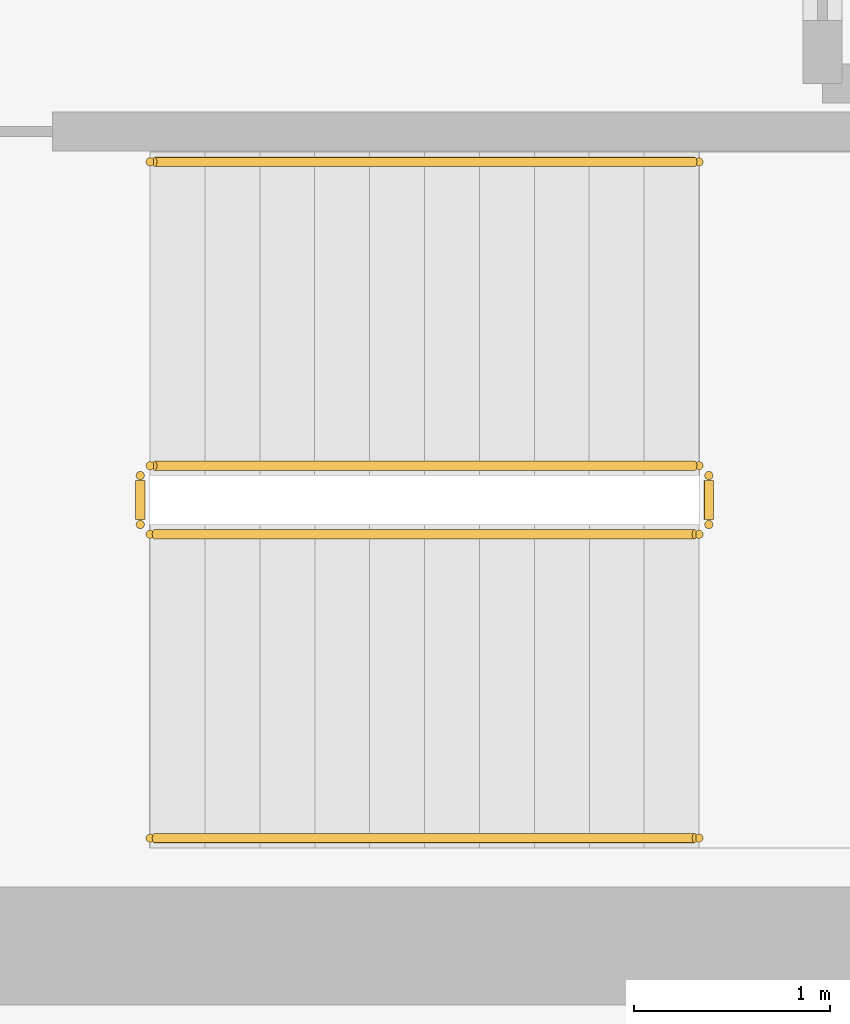
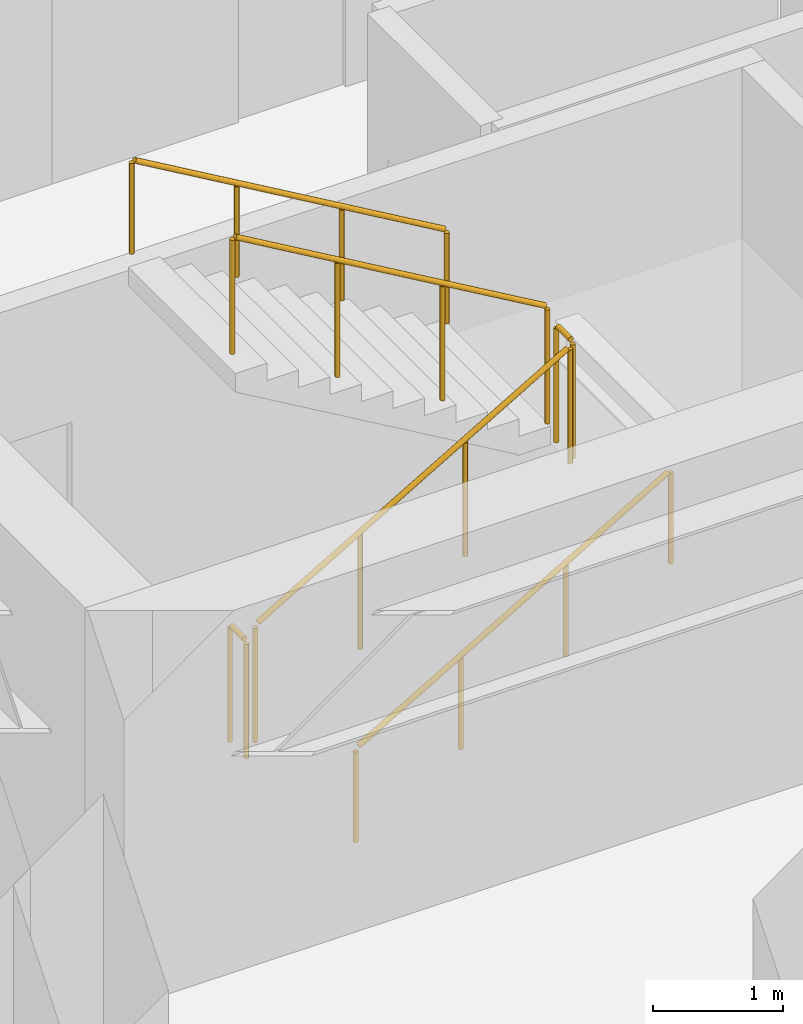
# One storey, part 11 of 11: 6 railings.
"""IFC4 building model written with IfcOpenShell, lengths in metres."""

import ifcopenshell
import ifcopenshell.guid

model = None  # the IFC model being written
_history = None  # IfcOwnerHistory: only IFC2X3 demands one
_inside = {}  # id of a spatial element -> (the spatial element, [elements in it])
_under = {}  # id of a project, library or spatial element -> (it, [spatial elements below it])
_declared = {}  # id of a project -> (the project, [libraries it declares])
_typed = {}  # id of a type object -> (the type object, [elements of that type])
_made_of = {}  # id of a material, layer set ... -> (it, [elements and type objects made of it])


def new_model(schema):
    """Start an empty IFC model of exactly this schema.

    Asked for "IFC4X3", IfcOpenShell would pick the latest addendum, in which some entities
    have other attributes; the version numbers below select the first issue.
    IFC2X3 requires an IfcOwnerHistory on every rooted entity: one is made here for all.
    """
    global model, _history
    if schema == "IFC4X3":
        model = ifcopenshell.file(schema_version=(4, 3, 0, 0))
    else:
        model = ifcopenshell.file(schema=schema)
    _inside.clear()
    _under.clear()
    _declared.clear()
    _typed.clear()
    _made_of.clear()
    _history = None
    if model.schema == "IFC2X3":
        org = make("IfcOrganization", Name="unknown")
        user = make(
            "IfcPersonAndOrganization",
            ThePerson=make("IfcPerson", FamilyName="unknown"),
            TheOrganization=org,
        )
        app = make(
            "IfcApplication",
            ApplicationDeveloper=org,
            Version="unknown",
            ApplicationFullName="unknown",
            ApplicationIdentifier="unknown",
        )
        _history = make(
            "IfcOwnerHistory",
            OwningUser=user,
            OwningApplication=app,
            ChangeAction="ADDED",
            CreationDate=0,
        )
    return model


def make(cls, **values):
    """One entity of the class cls with the attributes given. An attribute that is None is left unset."""
    return model.create_entity(
        cls, **{name: value for name, value in values.items() if value is not None}
    )


def rooted(cls, **values):
    """An entity with a GlobalId (a new one), such as an element, a storey or a relation."""
    return make(cls, GlobalId=ifcopenshell.guid.new(), OwnerHistory=_history, **values)


def si_unit(unit_type, name, prefix=None):
    """IfcSIUnit, for example si_unit("LENGTHUNIT", "METRE", prefix="MILLI")."""
    return make("IfcSIUnit", UnitType=unit_type, Prefix=prefix, Name=name)


def assignment(units):
    """IfcUnitAssignment: the units of a project."""
    return None if units is None else make("IfcUnitAssignment", Units=units)


def point(xyz):
    """IfcCartesianPoint."""
    return None if xyz is None else make("IfcCartesianPoint", Coordinates=xyz)


def direction(xyz):
    """IfcDirection."""
    return None if xyz is None else make("IfcDirection", DirectionRatios=xyz)


def frame(location, z_axis=None, x_axis=None):
    """IfcAxis2Placement3D, a coordinate frame: its origin and axes. An axis left out is left unset."""
    return make(
        "IfcAxis2Placement3D",
        Location=point(location),
        Axis=direction(z_axis),
        RefDirection=direction(x_axis),
    )


def frame_2d(location, x_axis=None):
    """IfcAxis2Placement2D, a coordinate frame in the plane: its origin and x axis."""
    return make(
        "IfcAxis2Placement2D", Location=point(location), RefDirection=direction(x_axis)
    )


def origin():
    """The frame at (0, 0, 0) with its axes left unset."""
    return frame((0.0, 0.0, 0.0))


def origin_2d():
    """The frame at (0, 0) in the plane with its x axis left unset."""
    return frame_2d((0.0, 0.0))


def place(relative_to, where):
    """IfcLocalPlacement: puts the frame where relative to a parent placement (None: the world)."""
    return make(
        "IfcLocalPlacement", PlacementRelTo=relative_to, RelativePlacement=where
    )


def context(
    kind, dimensions, precision=None, world=None, true_north=None, identifier=None
):
    """IfcGeometricRepresentationContext, for example the 3D "Model" context."""
    return make(
        "IfcGeometricRepresentationContext",
        ContextIdentifier=identifier,
        ContextType=kind,
        CoordinateSpaceDimension=dimensions,
        Precision=precision,
        WorldCoordinateSystem=world,
        TrueNorth=true_north,
    )


def subcontext(parent, identifier, kind, view, scale=None):
    """IfcGeometricRepresentationSubContext, for example "Body" below "Model"."""
    return make(
        "IfcGeometricRepresentationSubContext",
        ContextIdentifier=identifier,
        ContextType=kind,
        ParentContext=parent,
        TargetScale=scale,
        TargetView=view,
    )


def project(units=None, contexts=None):
    """IfcProject with its units and contexts."""
    return rooted(
        "IfcProject",
        Name="project",
        RepresentationContexts=contexts,
        UnitsInContext=assignment(units),
    )


def spatial(cls, under=None, at=None, **own):
    """A site, building, storey or space (cls), placed at a placement, below another one or the project."""
    s = rooted(cls, ObjectPlacement=at, **own)
    if under is not None:
        _under.setdefault(under.id(), (under, []))[1].append(s)
    return s


def profile(cls, at=None, kind="AREA", **sizes):
    """A parametric profile (cls). Its sizes go by their IFC names, for example OverallWidth=200.0."""
    return make(cls, ProfileType=kind, Position=at, **sizes)


def circle(**sizes):
    """IfcCircleProfileDef."""
    return profile("IfcCircleProfileDef", **sizes)


def extrude(swept, where, along, depth):
    """IfcExtrudedAreaSolid: the profile swept, set in the frame where, extruded along a direction by depth."""
    return make(
        "IfcExtrudedAreaSolid",
        SweptArea=swept,
        Position=where,
        ExtrudedDirection=direction(along),
        Depth=depth,
    )


def shape(context_of_items, identifier, shape_type, items):
    """IfcShapeRepresentation: the items that make up one representation, for example the "Body"."""
    return make(
        "IfcShapeRepresentation",
        ContextOfItems=context_of_items,
        RepresentationIdentifier=identifier,
        RepresentationType=shape_type,
        Items=items,
    )


def source(mapping_origin, context_of_items, identifier, shape_type, items):
    """IfcRepresentationMap: a shape defined once, which mapped items show again and again."""
    return make(
        "IfcRepresentationMap",
        MappingOrigin=mapping_origin,
        MappedRepresentation=shape(context_of_items, identifier, shape_type, items),
    )


def transform(
    local_origin,
    x_axis=None,
    y_axis=None,
    z_axis=None,
    scale=None,
    scale2=None,
    scale3=None,
    uniform=True,
):
    """IfcCartesianTransformationOperator3D, or its non-uniform kind. x_axis, y_axis, z_axis: its Axis1, 2, 3."""
    if uniform:
        return make(
            "IfcCartesianTransformationOperator3D",
            Axis1=direction(x_axis),
            Axis2=direction(y_axis),
            LocalOrigin=point(local_origin),
            Scale=scale,
            Axis3=direction(z_axis),
        )
    return make(
        "IfcCartesianTransformationOperator3DnonUniform",
        Axis1=direction(x_axis),
        Axis2=direction(y_axis),
        LocalOrigin=point(local_origin),
        Scale=scale,
        Axis3=direction(z_axis),
        Scale2=scale2,
        Scale3=scale3,
    )


def mapped(mapping_source, mapping_target):
    """IfcMappedItem: shows the shape of a source again, moved by a transform."""
    return make(
        "IfcMappedItem", MappingSource=mapping_source, MappingTarget=mapping_target
    )


def material(Name=None, Category=None):
    """IfcMaterial."""
    return make("IfcMaterial", Name=Name, Category=Category)


def layer(
    of_material, thickness, ventilated=None, Name=None, Category=None, Priority=None
):
    """IfcMaterialLayer: one layer of a wall or slab, of a material (None: an air gap)."""
    return make(
        "IfcMaterialLayer",
        Material=of_material,
        LayerThickness=thickness,
        IsVentilated=ventilated,
        Name=Name,
        Category=Category,
        Priority=Priority,
    )


def layer_set(layers, Name=None):
    """IfcMaterialLayerSet."""
    return make("IfcMaterialLayerSet", MaterialLayers=layers, LayerSetName=Name)


def made_of(thing, what):
    """Note that an element or type object is made of a material, layer set ...; save() writes the relation."""
    if what is not None:
        _made_of.setdefault(what.id(), (what, []))[1].append(thing)
    return thing


def type_object(cls, material=None, **own):
    """A type object (cls), such as IfcWallType, which elements share."""
    return made_of(rooted(cls, **own), material)


def element(
    cls,
    number,
    at=None,
    inside=None,
    cuts=None,
    type_object=None,
    material=None,
    context=None,
    identifier="Body",
    shape_type=None,
    held_by="IfcProductDefinitionShape",
    body=None,
    shapes=None,
    **own,
):
    """One element of the class cls, such as IfcWall. Its Tag is "e" and its number.

    at: its placement. inside: the storey or other place that contains it. cuts: it is an
    opening in that element (IfcRelVoidsElement). A single representation is given by context,
    identifier, shape_type and body (its items); several are given by shapes. held_by: the class
    of the entity that holds the representations. save() writes the other relations.
    """
    e = rooted(cls, Tag="e%d" % number, ObjectPlacement=at, **own)
    if body is not None:
        shapes = [shape(context, identifier, shape_type, body)]
    if shapes is not None:
        e.Representation = make(held_by, Representations=shapes)
    if inside is not None:
        _inside.setdefault(inside.id(), (inside, []))[1].append(e)
    if cuts is not None:
        rooted(
            "IfcRelVoidsElement", RelatingBuildingElement=cuts, RelatedOpeningElement=e
        )
    if type_object is not None:
        _typed.setdefault(type_object.id(), (type_object, []))[1].append(e)
    return made_of(e, material)


def aggregate(whole, parts):
    """IfcRelAggregates: a whole, such as a stair, and the parts it consists of."""
    return rooted("IfcRelAggregates", RelatingObject=whole, RelatedObjects=parts)


def save(model, path):
    """Write the relations noted so far, then the file.

    IfcRelAggregates (storeys below a building ...), IfcRelContainedInSpatialStructure (elements
    in a storey), IfcRelDefinesByType, IfcRelAssociatesMaterial and IfcRelDeclares: one each for
    every whole, place, type object, material and project.
    """
    for whole, parts in _under.values():
        aggregate(whole, parts)
    for where, things in _inside.values():
        rooted(
            "IfcRelContainedInSpatialStructure",
            RelatedElements=things,
            RelatingStructure=where,
        )
    for kind, things in _typed.values():
        rooted("IfcRelDefinesByType", RelatedObjects=things, RelatingType=kind)
    for what, things in _made_of.values():
        rooted("IfcRelAssociatesMaterial", RelatedObjects=things, RelatingMaterial=what)
    for by, libraries in _declared.values():
        rooted("IfcRelDeclares", RelatingContext=by, RelatedDefinitions=libraries)
    model.write(path)


model = new_model("IFC4")

# Units and contexts
model_context = context("Model", 3, precision=1e-05, world=origin(), true_north=direction((0.0, 1.0)))
body_context = subcontext(model_context, "Body", "Model", "MODEL_VIEW")
ifc_project = project(units=[si_unit("LENGTHUNIT", "METRE"), si_unit("AREAUNIT", "SQUARE_METRE"), si_unit("VOLUMEUNIT", "CUBIC_METRE"), si_unit("PLANEANGLEUNIT", "RADIAN"), si_unit("MASSUNIT", "GRAM", prefix="KILO")], contexts=[model_context])

# Site, building, storey
site_placement = place(None, origin())
site = spatial("IfcSite", under=ifc_project, at=site_placement, CompositionType="ELEMENT")
building_placement = place(site_placement, origin())
building = spatial("IfcBuilding", under=site, at=building_placement, Name="Kharzan Plaza Tower", CompositionType="ELEMENT")
storey_placement = place(building_placement, frame((0.0, 0.0, 182.699951171875)))
storey = spatial("IfcBuildingStorey", under=building, at=storey_placement, Name="L49", CompositionType="ELEMENT", Elevation=182.699951171875)

# Railings
ifc_material_1 = material(Name="Painted Galvanized Architectural Steel", Category="steel")
ifc_layer_1 = layer(ifc_material_1, 0.074951171875)
ifc_layer_set_1 = layer_set([ifc_layer_1], Name="Painted Galvanized Architectural Steel")
railing_type_1 = type_object("IfcRailingType", Name="RL-GUARD-1120", PredefinedType="BALUSTRADE", material=ifc_layer_set_1)
shared_shape_1 = source(origin(), body_context, "Body", "SweptSolid", [
    extrude(circle(Radius=0.02392578125, at=origin_2d()), frame((0.0, 0.0263671875, 1.09619140625), z_axis=(0.0, 1.0, 0.0), x_axis=(-1.0, 0.0, 0.0)), (0.0, 0.0, 1.0), 0.197021484375),
    extrude(circle(Radius=0.02099609375, at=origin_2d()), origin(), (0.0, 0.0, 1.0), 1.072021484375),
    extrude(circle(Radius=0.02099609375, at=origin_2d()), frame((0.0, 0.25, 0.0)), (0.0, 0.0, 1.0), 1.072021484375),
])
for number, where, name in (
    (1, (41.10009765625, 6.64990234375, 1.800048828125), "L49 ST-3 stair guard 2"),
    (2, (38.199951171875, 6.64990234375, 0.0), "L49 ST-3 stair guard 4"),
):
    element("IfcRailing", number, at=place(storey_placement, frame(where)), inside=storey, type_object=railing_type_1, Name=name, PredefinedType="BALUSTRADE", context=body_context, shape_type="MappedRepresentation", body=[
        mapped(shared_shape_1, transform((0.0, 0.0, 0.0), x_axis=(1.0, 0.0, 0.0), y_axis=(0.0, 1.0, 0.0), z_axis=(0.0, 0.0, 1.0))),
    ])
shared_shape_2 = source(origin(), body_context, "Body", "SweptSolid", [
    extrude(circle(Radius=0.02392578125, at=origin_2d()), frame((0.02294921875, 0.0, 1.109375), z_axis=(0.863360870873, 0.0, 0.504586966384), x_axis=(0.0, 1.0, 0.0)), (0.0, 0.0, 1.0), 3.190185546875),
    extrude(circle(Radius=0.02099609375, at=origin_2d()), origin(), (0.0, 0.0, 1.0), 1.072021484375),
    extrude(circle(Radius=0.02099609375, at=origin_2d()), frame((0.933349609375, 0.0, 0.54541015625)), (0.0, 0.0, 1.0), 1.072021484375),
    extrude(circle(Radius=0.02099609375, at=origin_2d()), frame((1.86669921875, 0.0, 1.091064453125)), (0.0, 0.0, 1.0), 1.072021484375),
    extrude(circle(Radius=0.02099609375, at=origin_2d()), frame((2.800048828125, 0.0, 1.636474609375)), (0.0, 0.0, 1.0), 1.072021484375),
])
railing_1_placement = place(storey_placement, frame((38.25, 6.60009765625, 0.16357421875)))
element("IfcRailing", 3, at=railing_1_placement, inside=storey, type_object=railing_type_1, Name="L49 ST-3 stair guard 1", PredefinedType="BALUSTRADE", context=body_context, shape_type="MappedRepresentation", body=[
    mapped(shared_shape_2, transform((0.0, 0.0, 0.0), x_axis=(1.0, 0.0, 0.0), y_axis=(0.0, 1.0, 0.0), z_axis=(0.0, 0.0, 1.0))),
])
shared_shape_3 = source(origin(), body_context, "Body", "SweptSolid", [
    extrude(circle(Radius=0.02392578125, at=origin_2d()), frame((-0.02294921875, 0.0, 1.109375), z_axis=(-0.863360870873, 0.0, 0.504586966384), x_axis=(0.0, -1.0, 0.0)), (0.0, 0.0, 1.0), 3.190185546875),
    extrude(circle(Radius=0.02099609375, at=origin_2d()), origin(), (0.0, 0.0, 1.0), 1.072021484375),
    extrude(circle(Radius=0.02099609375, at=origin_2d()), frame((-0.933349609375, 0.0, 0.54541015625)), (0.0, 0.0, 1.0), 1.072021484375),
    extrude(circle(Radius=0.02099609375, at=origin_2d()), frame((-1.86669921875, 0.0, 1.091064453125)), (0.0, 0.0, 1.0), 1.072021484375),
    extrude(circle(Radius=0.02099609375, at=origin_2d()), frame((-2.800048828125, 0.0, 1.636474609375)), (0.0, 0.0, 1.0), 1.072021484375),
])
railing_2_placement = place(storey_placement, frame((41.050048828125, 6.949951171875, 1.963623046875)))
element("IfcRailing", 4, at=railing_2_placement, inside=storey, type_object=railing_type_1, Name="L49 ST-3 stair guard 3", PredefinedType="BALUSTRADE", context=body_context, shape_type="MappedRepresentation", body=[
    mapped(shared_shape_3, transform((0.0, 0.0, 0.0), x_axis=(1.0, 0.0, 0.0), y_axis=(0.0, 1.0, 0.0), z_axis=(0.0, 0.0, 1.0))),
])
ifc_material_2 = material(Name="Brushed Stainless Steel", Category="steel")
ifc_layer_2 = layer(ifc_material_2, 0.050048828125)
ifc_layer_set_2 = layer_set([ifc_layer_2], Name="Brushed Stainless Steel")
railing_type_2 = type_object("IfcRailingType", Name="RL-STAIR-HR920", PredefinedType="HANDRAIL", material=ifc_layer_set_2)
shared_shape_4 = source(origin(), body_context, "Body", "SweptSolid", [
    extrude(circle(Radius=0.02392578125, at=origin_2d()), frame((0.02294921875, 0.0, 0.88916015625), z_axis=(0.863360870873, 0.0, 0.504586966384), x_axis=(0.0, 1.0, 0.0)), (0.0, 0.0, 1.0), 3.190185546875),
    extrude(circle(Radius=0.02099609375, at=origin_2d()), origin(), (0.0, 0.0, 1.0), 0.851806640625),
    extrude(circle(Radius=0.02099609375, at=origin_2d()), frame((0.933349609375, 0.0, 0.54541015625)), (0.0, 0.0, 1.0), 0.851806640625),
    extrude(circle(Radius=0.02099609375, at=origin_2d()), frame((1.86669921875, 0.0, 1.091064453125)), (0.0, 0.0, 1.0), 0.851806640625),
    extrude(circle(Radius=0.02099609375, at=origin_2d()), frame((2.800048828125, 0.0, 1.636474609375)), (0.0, 0.0, 1.0), 0.851806640625),
])
railing_3_placement = place(storey_placement, frame((38.25, 5.050048828125, 0.16357421875)))
element("IfcRailing", 5, at=railing_3_placement, inside=storey, type_object=railing_type_2, Name="L49 ST-3 stair handrail 1", PredefinedType="HANDRAIL", context=body_context, shape_type="MappedRepresentation", body=[
    mapped(shared_shape_4, transform((0.0, 0.0, 0.0), x_axis=(1.0, 0.0, 0.0), y_axis=(0.0, 1.0, 0.0), z_axis=(0.0, 0.0, 1.0))),
])
shared_shape_5 = source(origin(), body_context, "Body", "SweptSolid", [
    extrude(circle(Radius=0.02392578125, at=origin_2d()), frame((-0.02294921875, 0.0, 0.88916015625), z_axis=(-0.863360870873, 0.0, 0.504586966384), x_axis=(0.0, -1.0, 0.0)), (0.0, 0.0, 1.0), 3.190185546875),
    extrude(circle(Radius=0.02099609375, at=origin_2d()), origin(), (0.0, 0.0, 1.0), 0.851806640625),
    extrude(circle(Radius=0.02099609375, at=origin_2d()), frame((-0.933349609375, 0.0, 0.54541015625)), (0.0, 0.0, 1.0), 0.851806640625),
    extrude(circle(Radius=0.02099609375, at=origin_2d()), frame((-1.86669921875, 0.0, 1.091064453125)), (0.0, 0.0, 1.0), 0.851806640625),
    extrude(circle(Radius=0.02099609375, at=origin_2d()), frame((-2.800048828125, 0.0, 1.636474609375)), (0.0, 0.0, 1.0), 0.851806640625),
])
railing_4_placement = place(storey_placement, frame((41.050048828125, 8.5, 1.963623046875)))
element("IfcRailing", 6, at=railing_4_placement, inside=storey, type_object=railing_type_2, Name="L49 ST-3 stair handrail 2", PredefinedType="HANDRAIL", context=body_context, shape_type="MappedRepresentation", body=[
    mapped(shared_shape_5, transform((0.0, 0.0, 0.0), x_axis=(1.0, 0.0, 0.0), y_axis=(0.0, 1.0, 0.0), z_axis=(0.0, 0.0, 1.0))),
])

save(model, "model.ifc")
